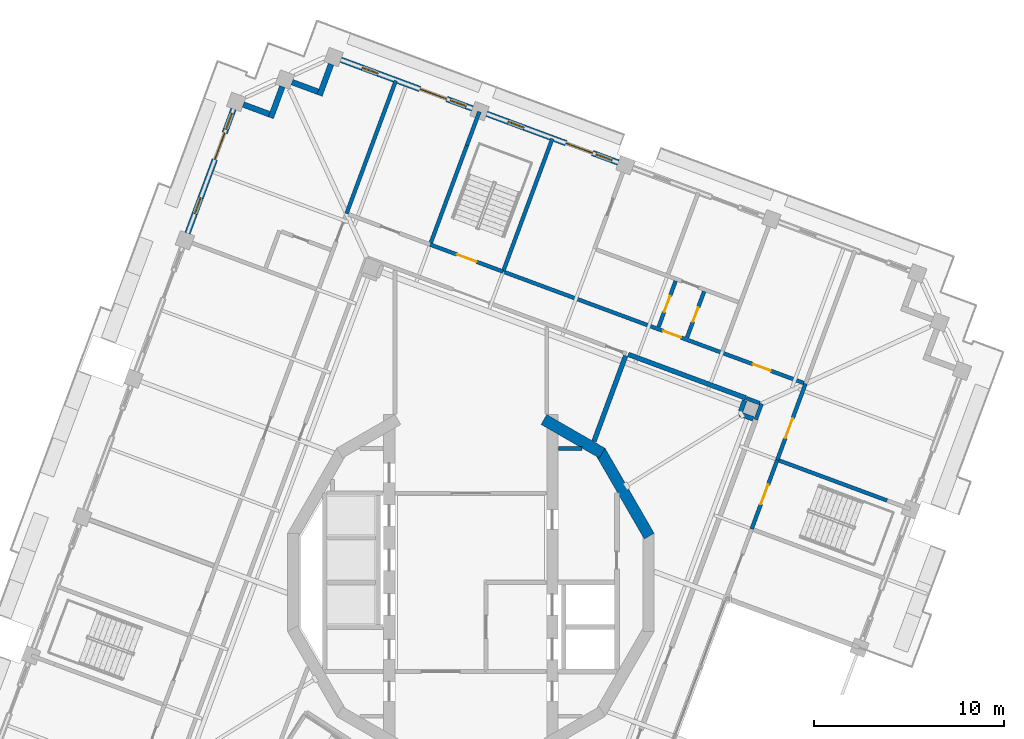
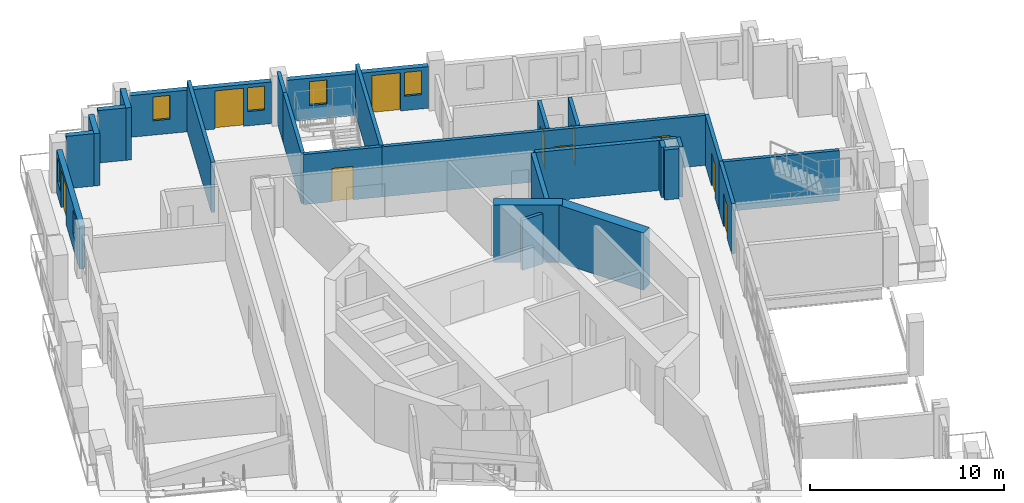
# One storey, part 9 of 19: 27 walls, 10 doors, 6 windows, 16 openings.
"""IFC4 building model written with IfcOpenShell, lengths in metres."""

from ifc_helpers import new_model, si_unit, direction, frame, frame_2d, origin, place, context, subcontext, project, spatial, rectangle, extrude, material, layer, layer_set, type_object, element, fill, save


model = new_model("IFC4")

# Units and contexts
model_context = context("Model", 3, precision=1e-05, world=origin(), true_north=direction((0.0, 1.0)))
body_context = subcontext(model_context, "Body", "Model", "MODEL_VIEW")
ifc_project = project(units=[si_unit("LENGTHUNIT", "METRE"), si_unit("AREAUNIT", "SQUARE_METRE"), si_unit("VOLUMEUNIT", "CUBIC_METRE"), si_unit("PLANEANGLEUNIT", "RADIAN"), si_unit("MASSUNIT", "GRAM", prefix="KILO")], contexts=[model_context])

# Site, building, storey
site_placement = place(None, origin())
site = spatial("IfcSite", under=ifc_project, at=site_placement, CompositionType="ELEMENT")
building_placement = place(site_placement, origin())
building = spatial("IfcBuilding", under=site, at=building_placement, Name="Cantera Rosa Tower", CompositionType="ELEMENT")
storey_placement = place(building_placement, frame((0.0, 0.0, 342.10009765625)))
storey = spatial("IfcBuildingStorey", under=building, at=storey_placement, Name="L77", CompositionType="ELEMENT", Elevation=342.10009765625)

# Walls
ifc_material_1 = material(Name="Gypsum board partition")
ifc_layer_1 = layer(ifc_material_1, 0.199951171875)
ifc_layer_set_1 = layer_set([ifc_layer_1], Name="CORRIDOR WALL 200 H3150")
wall_type_1 = type_object("IfcWallType", Name="CORRIDOR WALL 200 H3150", PredefinedType="PARTITIONING", material=ifc_layer_set_1)
wall_1_placement = place(storey_placement, frame((15.019287109375, 8.586181640625, 0.0), z_axis=(0.0, 0.0, 1.0), x_axis=(0.347684862487, 0.937611452787, 0.0)))
element("IfcWall", 1, at=wall_1_placement, inside=storey, type_object=wall_type_1, Name="CORRIDOR WALL L77-092", PredefinedType="PARTITIONING", context=body_context, shape_type="SweptSolid", body=[
    extrude(rectangle(XDim=0.8798828125, YDim=0.199951171875, at=frame_2d((0.43994140625, 0.0))), origin(), (0.0, 0.0, 1.0), 3.14990234375),
])
wall_2_placement = place(storey_placement, frame((15.2314453125, 9.446044921875, 0.0), z_axis=(0.0, 0.0, 1.0), x_axis=(-0.93771100034, 0.347416291848, 0.0)))
element("IfcWall", 2, at=wall_2_placement, inside=storey, type_object=wall_type_1, Name="CORRIDOR WALL L77-093", PredefinedType="PARTITIONING", context=body_context, shape_type="SweptSolid", body=[
    extrude(rectangle(XDim=0.780029296875, YDim=0.199951171875, at=frame_2d((0.39013671875, 0.0))), origin(), (0.0, 0.0, 1.0), 3.14990234375),
])

# Wall, opening, door
wall_3_placement = place(storey_placement, frame((16.1513671875, 6.460205078125, 0.0), z_axis=(0.0, 0.0, 1.0), x_axis=(0.347438825371, 0.937702651497, 0.0)))
wall_3 = element("IfcWall", 3, at=wall_3_placement, inside=storey, type_object=wall_type_1, Name="CORRIDOR WALL L77-095", PredefinedType="PARTITIONING", context=body_context, shape_type="SweptSolid", body=[
    extrude(rectangle(XDim=4.280029296875, YDim=0.199951171875, at=frame_2d((2.14013671875, 0.0))), origin(), (0.0, 0.0, 1.0), 3.14990234375),
])
opening_1_placement = place(wall_3_placement, frame((1.22998046875, 0.0, 0.0)))
opening_1 = element("IfcOpeningElement", 4, at=opening_1_placement, cuts=wall_3, Name="Opening L77-038", PredefinedType="OPENING", context=body_context, shape_type="SweptSolid", body=[
    extrude(rectangle(XDim=1.10009765625, YDim=2.10009765625, at=frame_2d((0.550048828125, 1.050048828125))), frame((0.0, 0.10986328125, 0.0), z_axis=(0.0, -1.0, 0.0), x_axis=(1.0, 0.0, 0.0)), (0.0, 0.0, 1.0), 0.219970703125),
])
ifc_material_2 = material(Name="Timber door leaf", Category="wood")
door_type_1 = type_object("IfcDoorType", Name="ROOM DOOR 1100x2100", OperationType="NOTDEFINED", PredefinedType="DOOR", material=ifc_material_2)
door_1_placement = place(opening_1_placement, origin())
door_1 = element("IfcDoor", 5, at=door_1_placement, inside=storey, type_object=door_type_1, Name="DOOR L77-038", OperationType="NOTDEFINED", OverallHeight=2.10009765625, OverallWidth=1.10009765625, PredefinedType="DOOR", context=body_context, shape_type="SweptSolid", body=[
    extrude(rectangle(XDim=1.10009765625, YDim=2.10009765625, at=frame_2d((0.550048828125, 1.050048828125))), frame((0.0, 0.02490234375, 0.0), z_axis=(0.0, -1.0, 0.0), x_axis=(1.0, 0.0, 0.0)), (0.0, 0.0, 1.0), 0.050048828125),
])
fill(opening_1, door_1)

# Wall, openings, doors
wall_4_placement = place(storey_placement, frame((17.544677734375, 10.50830078125, 0.0), z_axis=(0.0, 0.0, 1.0), x_axis=(-0.937684617113, 0.347487494493, 0.0)))
wall_4 = element("IfcWall", 6, at=wall_4_placement, inside=storey, type_object=wall_type_1, Name="CORRIDOR WALL L77-096", PredefinedType="PARTITIONING", context=body_context, shape_type="SweptSolid", body=[
    extrude(rectangle(XDim=16.900146484375, YDim=0.199951171875, at=frame_2d((8.4501953125, 0.0))), origin(), (0.0, 0.0, 1.0), 3.14990234375),
])
opening_2_placement = place(wall_4_placement, frame((1.85009765625, 0.0, 0.0)))
opening_2 = element("IfcOpeningElement", 7, at=opening_2_placement, cuts=wall_4, Name="Opening L77-019", PredefinedType="OPENING", context=body_context, shape_type="SweptSolid", body=[
    extrude(rectangle(XDim=1.0, YDim=2.10009765625, at=frame_2d((0.5, 1.050048828125))), frame((0.0, 0.10986328125, 0.0), z_axis=(0.0, -1.0, 0.0), x_axis=(1.0, 0.0, 0.0)), (0.0, 0.0, 1.0), 0.219970703125),
])
opening_3_placement = place(wall_4_placement, frame((6.89990234375, 0.0, 0.0)))
opening_3 = element("IfcOpeningElement", 8, at=opening_3_placement, cuts=wall_4, Name="Opening L77-020", PredefinedType="OPENING", context=body_context, shape_type="SweptSolid", body=[
    extrude(rectangle(XDim=1.0, YDim=2.10009765625, at=frame_2d((0.5, 1.050048828125))), frame((0.0, 0.10986328125, 0.0), z_axis=(0.0, -1.0, 0.0), x_axis=(1.0, 0.0, 0.0)), (0.0, 0.0, 1.0), 0.219970703125),
])
ifc_material_3 = material(Name="Timber door leaf", Category="wood")
door_type_2 = type_object("IfcDoorType", Name="ENTRANCE DOOR 1000x2100", OperationType="NOTDEFINED", PredefinedType="DOOR", material=ifc_material_3)
door_2_placement = place(opening_3_placement, origin())
door_2 = element("IfcDoor", 9, at=door_2_placement, inside=storey, type_object=door_type_2, Name="DOOR L77-020", OperationType="NOTDEFINED", OverallHeight=2.10009765625, OverallWidth=1.0, PredefinedType="DOOR", context=body_context, shape_type="SweptSolid", body=[
    extrude(rectangle(XDim=1.0, YDim=2.10009765625, at=frame_2d((0.5, 1.050048828125))), frame((0.0, 0.02490234375, 0.0), z_axis=(0.0, -1.0, 0.0), x_axis=(1.0, 0.0, 0.0)), (0.0, 0.0, 1.0), 0.050048828125),
])
fill(opening_3, door_2)
ifc_material_4 = material(Name="Timber door leaf", Category="wood")
door_type_3 = type_object("IfcDoorType", Name="ROOM DOOR 1000x2100", OperationType="NOTDEFINED", PredefinedType="DOOR", material=ifc_material_4)
door_3_placement = place(opening_2_placement, origin())
door_3 = element("IfcDoor", 10, at=door_3_placement, inside=storey, type_object=door_type_3, Name="DOOR L77-019", OperationType="NOTDEFINED", OverallHeight=2.10009765625, OverallWidth=1.0, PredefinedType="DOOR", context=body_context, shape_type="SweptSolid", body=[
    extrude(rectangle(XDim=1.0, YDim=2.10009765625, at=frame_2d((0.5, 1.050048828125))), frame((0.0, 0.02490234375, 0.0), z_axis=(0.0, -1.0, 0.0), x_axis=(1.0, 0.0, 0.0)), (0.0, 0.0, 1.0), 0.050048828125),
])
fill(opening_2, door_3)

# Walls
ifc_material_5 = material(Name="Hollow clay masonry with cantera stone cladding", Category="masonry")
ifc_layer_2 = layer(ifc_material_5, 0.300048828125)
ifc_layer_set_2 = layer_set([ifc_layer_2], Name="EW-LOGGIA 300")
wall_type_2 = type_object("IfcWallType", Name="EW-LOGGIA 300", PredefinedType="SOLIDWALL", material=ifc_layer_set_2)
wall_5_placement = place(storey_placement, frame((-7.36865234375, 27.312255859375, 0.0), z_axis=(0.0, 0.0, 1.0), x_axis=(-0.34752790836, -0.937669639538, 0.0)))
element("IfcWall", 11, at=wall_5_placement, inside=storey, type_object=wall_type_2, Name="EN-L77-W05a", PredefinedType="SOLIDWALL", context=body_context, shape_type="SweptSolid", body=[
    extrude(rectangle(XDim=1.75, YDim=0.300048828125, at=frame_2d((0.875, 0.0))), origin(), (0.0, 0.0, 1.0), 3.2998046875),
])
wall_6_placement = place(storey_placement, frame((-8.065185546875, 25.8642578125, 0.0), z_axis=(0.0, 0.0, 1.0), x_axis=(-0.937671557958, 0.347522732201, 0.0)))
element("IfcWall", 12, at=wall_6_placement, inside=storey, type_object=wall_type_2, Name="EN-L77-W05b", PredefinedType="SOLIDWALL", context=body_context, shape_type="SweptSolid", body=[
    extrude(rectangle(XDim=1.449951171875, YDim=0.300048828125, at=frame_2d((0.72509765625, 0.0))), origin(), (0.0, 0.0, 1.0), 3.2998046875),
])
wall_7_placement = place(storey_placement, frame((-9.93896484375, 26.132080078125, 0.0), z_axis=(0.0, 0.0, 1.0), x_axis=(-0.34748245117, -0.937686486054, 0.0)))
element("IfcWall", 13, at=wall_7_placement, inside=storey, type_object=wall_type_2, Name="EN-L77-W06a", PredefinedType="SOLIDWALL", context=body_context, shape_type="SweptSolid", body=[
    extrude(rectangle(XDim=1.750244140625, YDim=0.300048828125, at=frame_2d((0.875, 0.0))), origin(), (0.0, 0.0, 1.0), 3.2998046875),
])
wall_8_placement = place(storey_placement, frame((-10.635498046875, 24.683837890625, 0.0), z_axis=(0.0, 0.0, 1.0), x_axis=(-0.937671557958, 0.347522732201, 0.0)))
element("IfcWall", 14, at=wall_8_placement, inside=storey, type_object=wall_type_2, Name="EN-L77-W06b", PredefinedType="SOLIDWALL", context=body_context, shape_type="SweptSolid", body=[
    extrude(rectangle(XDim=1.449951171875, YDim=0.300048828125, at=frame_2d((0.72509765625, 0.0))), origin(), (0.0, 0.0, 1.0), 3.2998046875),
])

# Wall, openings, windows, door
ifc_material_6 = material(Name="Hollow clay masonry with cantera stone cladding", Category="masonry")
ifc_layer_3 = layer(ifc_material_6, 0.300048828125)
ifc_layer_set_3 = layer_set([ifc_layer_3], Name="EW-LOGGIA 300 H2620")
wall_type_3 = type_object("IfcWallType", Name="EW-LOGGIA 300 H2620", PredefinedType="SOLIDWALL", material=ifc_layer_set_3)
wall_9_placement = place(storey_placement, frame((7.7734375, 22.127685546875, 0.0), z_axis=(0.0, 0.0, 1.0), x_axis=(-0.937680690562, 0.34749808999, 0.0)))
wall_9 = element("IfcWall", 15, at=wall_9_placement, inside=storey, type_object=wall_type_3, Name="EN-L77-W03", PredefinedType="SOLIDWALL", context=body_context, shape_type="SweptSolid", body=[
    extrude(rectangle(XDim=7.400146484375, YDim=0.300048828125, at=frame_2d((3.7001953125, 0.0))), origin(), (0.0, 0.0, 1.0), 2.619873046875),
])
opening_4_placement = place(wall_9_placement, frame((0.35009765625, 0.0, 0.89990234375)))
opening_4 = element("IfcOpeningElement", 16, at=opening_4_placement, cuts=wall_9, Name="Opening L77-W07", PredefinedType="OPENING", context=body_context, shape_type="SweptSolid", body=[
    extrude(rectangle(XDim=0.89990234375, YDim=1.5, at=frame_2d((0.449951171875, 0.75))), frame((0.0, 0.159912109375, 0.0), z_axis=(0.0, -1.0, 0.0), x_axis=(1.0, 0.0, 0.0)), (0.0, 0.0, 1.0), 0.320068359375),
])
opening_5_placement = place(wall_9_placement, frame((1.449951171875, 0.0, 0.0)))
opening_5 = element("IfcOpeningElement", 17, at=opening_5_placement, cuts=wall_9, Name="Opening L77-TD08", PredefinedType="OPENING", context=body_context, shape_type="SweptSolid", body=[
    extrude(rectangle(XDim=1.5, YDim=2.39990234375, at=frame_2d((0.75, 1.199951171875))), frame((0.0, 0.159912109375, 0.0), z_axis=(0.0, -1.0, 0.0), x_axis=(1.0, 0.0, 0.0)), (0.0, 0.0, 1.0), 0.320068359375),
])
opening_6_placement = place(wall_9_placement, frame((5.300048828125, 0.0, 0.89990234375)))
opening_6 = element("IfcOpeningElement", 18, at=opening_6_placement, cuts=wall_9, Name="Opening L77-W09", PredefinedType="OPENING", context=body_context, shape_type="SweptSolid", body=[
    extrude(rectangle(XDim=0.89990234375, YDim=1.5, at=frame_2d((0.449951171875, 0.75))), frame((0.0, 0.159912109375, 0.0), z_axis=(0.0, -1.0, 0.0), x_axis=(1.0, 0.0, 0.0)), (0.0, 0.0, 1.0), 0.320068359375),
])
ifc_material_7 = material(Name="Aluminium frame with clear glass", Category="aluminium")
window_type = type_object("IfcWindowType", Name="Residential window 900x1500", PartitioningType="SINGLE_PANEL", PredefinedType="WINDOW", material=ifc_material_7)
window_1_placement = place(opening_4_placement, origin())
window_1 = element("IfcWindow", 19, at=window_1_placement, inside=storey, type_object=window_type, Name="WINDOW L77-W07", OverallHeight=1.5, OverallWidth=0.89990234375, PartitioningType="SINGLE_PANEL", PredefinedType="WINDOW", context=body_context, shape_type="SweptSolid", body=[
    extrude(rectangle(XDim=0.89990234375, YDim=1.5, at=frame_2d((0.449951171875, 0.75))), frame((0.0, 0.030029296875, 0.0), z_axis=(0.0, -1.0, 0.0), x_axis=(1.0, 0.0, 0.0)), (0.0, 0.0, 1.0), 0.06005859375),
])
fill(opening_4, window_1)
window_2_placement = place(opening_6_placement, origin())
window_2 = element("IfcWindow", 20, at=window_2_placement, inside=storey, type_object=window_type, Name="WINDOW L77-W09", OverallHeight=1.5, OverallWidth=0.89990234375, PartitioningType="SINGLE_PANEL", PredefinedType="WINDOW", context=body_context, shape_type="SweptSolid", body=[
    extrude(rectangle(XDim=0.89990234375, YDim=1.5, at=frame_2d((0.449951171875, 0.75))), frame((0.0, 0.030029296875, 0.0), z_axis=(0.0, -1.0, 0.0), x_axis=(1.0, 0.0, 0.0)), (0.0, 0.0, 1.0), 0.06005859375),
])
fill(opening_6, window_2)
ifc_material_8 = material(Name="Aluminium frame with clear glass", Category="aluminium")
door_type_4 = type_object("IfcDoorType", Name="TD-R 1500x2400", OperationType="NOTDEFINED", PredefinedType="DOOR", material=ifc_material_8)
door_4_placement = place(opening_5_placement, origin())
door_4 = element("IfcDoor", 21, at=door_4_placement, inside=storey, type_object=door_type_4, Name="LOGGIA DOOR L77-TD08", OperationType="SLIDING_TO_LEFT", OverallHeight=2.39990234375, OverallWidth=1.5, PredefinedType="DOOR", context=body_context, shape_type="SweptSolid", body=[
    extrude(rectangle(XDim=1.5, YDim=2.39990234375, at=frame_2d((0.75, 1.199951171875))), frame((0.0, 0.02490234375, 0.0), z_axis=(0.0, -1.0, 0.0), x_axis=(1.0, 0.0, 0.0)), (0.0, 0.0, 1.0), 0.050048828125),
])
fill(opening_5, door_4)

wall_10_placement = place(storey_placement, frame((0.084228515625, 24.97705078125, 0.0), z_axis=(0.0, 0.0, 1.0), x_axis=(-0.937687456783, 0.347479831633, 0.0)))
wall_10 = element("IfcWall", 22, at=wall_10_placement, inside=storey, type_object=wall_type_3, Name="EN-L77-W04", PredefinedType="SOLIDWALL", context=body_context, shape_type="SweptSolid", body=[
    extrude(rectangle(XDim=7.39990234375, YDim=0.300048828125, at=frame_2d((3.699951171875, 0.0))), origin(), (0.0, 0.0, 1.0), 2.619873046875),
])
opening_7_placement = place(wall_10_placement, frame((0.35009765625, 0.0, 0.89990234375)))
opening_7 = element("IfcOpeningElement", 23, at=opening_7_placement, cuts=wall_10, Name="Opening L77-W10", PredefinedType="OPENING", context=body_context, shape_type="SweptSolid", body=[
    extrude(rectangle(XDim=0.89990234375, YDim=1.5, at=frame_2d((0.449951171875, 0.75))), frame((0.0, 0.159912109375, 0.0), z_axis=(0.0, -1.0, 0.0), x_axis=(1.0, 0.0, 0.0)), (0.0, 0.0, 1.0), 0.320068359375),
])
opening_8_placement = place(wall_10_placement, frame((1.449951171875, 0.0, 0.0)))
opening_8 = element("IfcOpeningElement", 24, at=opening_8_placement, cuts=wall_10, Name="Opening L77-TD11", PredefinedType="OPENING", context=body_context, shape_type="SweptSolid", body=[
    extrude(rectangle(XDim=1.5, YDim=2.39990234375, at=frame_2d((0.75, 1.199951171875))), frame((0.0, 0.159912109375, 0.0), z_axis=(0.0, -1.0, 0.0), x_axis=(1.0, 0.0, 0.0)), (0.0, 0.0, 1.0), 0.320068359375),
])
opening_9_placement = place(wall_10_placement, frame((5.300048828125, 0.0, 0.89990234375)))
opening_9 = element("IfcOpeningElement", 25, at=opening_9_placement, cuts=wall_10, Name="Opening L77-W12", PredefinedType="OPENING", context=body_context, shape_type="SweptSolid", body=[
    extrude(rectangle(XDim=0.89990234375, YDim=1.5, at=frame_2d((0.449951171875, 0.75))), frame((0.0, 0.159912109375, 0.0), z_axis=(0.0, -1.0, 0.0), x_axis=(1.0, 0.0, 0.0)), (0.0, 0.0, 1.0), 0.320068359375),
])
window_3_placement = place(opening_7_placement, origin())
window_3 = element("IfcWindow", 26, at=window_3_placement, inside=storey, type_object=window_type, Name="WINDOW L77-W10", OverallHeight=1.5, OverallWidth=0.89990234375, PartitioningType="SINGLE_PANEL", PredefinedType="WINDOW", context=body_context, shape_type="SweptSolid", body=[
    extrude(rectangle(XDim=0.89990234375, YDim=1.5, at=frame_2d((0.449951171875, 0.75))), frame((0.0, 0.030029296875, 0.0), z_axis=(0.0, -1.0, 0.0), x_axis=(1.0, 0.0, 0.0)), (0.0, 0.0, 1.0), 0.06005859375),
])
fill(opening_7, window_3)
window_4_placement = place(opening_9_placement, origin())
window_4 = element("IfcWindow", 27, at=window_4_placement, inside=storey, type_object=window_type, Name="WINDOW L77-W12", OverallHeight=1.5, OverallWidth=0.89990234375, PartitioningType="SINGLE_PANEL", PredefinedType="WINDOW", context=body_context, shape_type="SweptSolid", body=[
    extrude(rectangle(XDim=0.89990234375, YDim=1.5, at=frame_2d((0.449951171875, 0.75))), frame((0.0, 0.030029296875, 0.0), z_axis=(0.0, -1.0, 0.0), x_axis=(1.0, 0.0, 0.0)), (0.0, 0.0, 1.0), 0.06005859375),
])
fill(opening_9, window_4)
door_5_placement = place(opening_8_placement, origin())
door_5 = element("IfcDoor", 28, at=door_5_placement, inside=storey, type_object=door_type_4, Name="LOGGIA DOOR L77-TD11", OperationType="SLIDING_TO_LEFT", OverallHeight=2.39990234375, OverallWidth=1.5, PredefinedType="DOOR", context=body_context, shape_type="SweptSolid", body=[
    extrude(rectangle(XDim=1.5, YDim=2.39990234375, at=frame_2d((0.75, 1.199951171875))), frame((0.0, 0.02490234375, 0.0), z_axis=(0.0, -1.0, 0.0), x_axis=(1.0, 0.0, 0.0)), (0.0, 0.0, 1.0), 0.050048828125),
])
fill(opening_8, door_5)

ifc_material_9 = material(Name="Hollow clay masonry with cantera stone cladding", Category="masonry")
ifc_layer_4 = layer(ifc_material_9, 0.300048828125)
ifc_layer_set_4 = layer_set([ifc_layer_4], Name="EW-LOGGIA 300 H2690")
wall_type_4 = type_object("IfcWallType", Name="EW-LOGGIA 300 H2690", PredefinedType="SOLIDWALL", material=ifc_layer_set_4)
wall_11_placement = place(storey_placement, frame((-12.50927734375, 24.95166015625, 0.0), z_axis=(0.0, 0.0, 1.0), x_axis=(-0.347490919506, -0.937683347864, 0.0)))
wall_11 = element("IfcWall", 29, at=wall_11_placement, inside=storey, type_object=wall_type_4, Name="EN-L77-W07", PredefinedType="SOLIDWALL", context=body_context, shape_type="SweptSolid", body=[
    extrude(rectangle(XDim=6.980224609375, YDim=0.300048828125, at=frame_2d((3.490234375, 0.0))), origin(), (0.0, 0.0, 1.0), 2.68994140625),
])
opening_10_placement = place(wall_11_placement, frame((0.2451171875, 0.0, 0.89990234375)))
opening_10 = element("IfcOpeningElement", 30, at=opening_10_placement, cuts=wall_11, Name="Opening L77-W13", PredefinedType="OPENING", context=body_context, shape_type="SweptSolid", body=[
    extrude(rectangle(XDim=0.89990234375, YDim=1.5, at=frame_2d((0.449951171875, 0.75))), frame((0.0, 0.159912109375, 0.0), z_axis=(0.0, -1.0, 0.0), x_axis=(1.0, 0.0, 0.0)), (0.0, 0.0, 1.0), 0.320068359375),
])
opening_11_placement = place(wall_11_placement, frame((1.344970703125, 0.0, 0.0)))
opening_11 = element("IfcOpeningElement", 31, at=opening_11_placement, cuts=wall_11, Name="Opening L77-TD14", PredefinedType="OPENING", context=body_context, shape_type="SweptSolid", body=[
    extrude(rectangle(XDim=1.5, YDim=2.39990234375, at=frame_2d((0.75, 1.199951171875))), frame((0.0, 0.159912109375, 0.0), z_axis=(0.0, -1.0, 0.0), x_axis=(1.0, 0.0, 0.0)), (0.0, 0.0, 1.0), 0.320068359375),
])
opening_12_placement = place(wall_11_placement, frame((4.985107421875, 0.0, 0.89990234375)))
opening_12 = element("IfcOpeningElement", 32, at=opening_12_placement, cuts=wall_11, Name="Opening L77-W15", PredefinedType="OPENING", context=body_context, shape_type="SweptSolid", body=[
    extrude(rectangle(XDim=0.89990234375, YDim=1.5, at=frame_2d((0.449951171875, 0.75))), frame((0.0, 0.159912109375, 0.0), z_axis=(0.0, -1.0, 0.0), x_axis=(1.0, 0.0, 0.0)), (0.0, 0.0, 1.0), 0.320068359375),
])
window_5_placement = place(opening_10_placement, origin())
window_5 = element("IfcWindow", 33, at=window_5_placement, inside=storey, type_object=window_type, Name="WINDOW L77-W13", OverallHeight=1.5, OverallWidth=0.89990234375, PartitioningType="SINGLE_PANEL", PredefinedType="WINDOW", context=body_context, shape_type="SweptSolid", body=[
    extrude(rectangle(XDim=0.89990234375, YDim=1.5, at=frame_2d((0.449951171875, 0.75))), frame((0.0, 0.030029296875, 0.0), z_axis=(0.0, -1.0, 0.0), x_axis=(1.0, 0.0, 0.0)), (0.0, 0.0, 1.0), 0.06005859375),
])
fill(opening_10, window_5)
window_6_placement = place(opening_12_placement, origin())
window_6 = element("IfcWindow", 34, at=window_6_placement, inside=storey, type_object=window_type, Name="WINDOW L77-W15", OverallHeight=1.5, OverallWidth=0.89990234375, PartitioningType="SINGLE_PANEL", PredefinedType="WINDOW", context=body_context, shape_type="SweptSolid", body=[
    extrude(rectangle(XDim=0.89990234375, YDim=1.5, at=frame_2d((0.449951171875, 0.75))), frame((0.0, 0.030029296875, 0.0), z_axis=(0.0, -1.0, 0.0), x_axis=(1.0, 0.0, 0.0)), (0.0, 0.0, 1.0), 0.06005859375),
])
fill(opening_12, window_6)
door_6_placement = place(opening_11_placement, origin())
door_6 = element("IfcDoor", 35, at=door_6_placement, inside=storey, type_object=door_type_4, Name="LOGGIA DOOR L77-TD14", OperationType="SLIDING_TO_LEFT", OverallHeight=2.39990234375, OverallWidth=1.5, PredefinedType="DOOR", context=body_context, shape_type="SweptSolid", body=[
    extrude(rectangle(XDim=1.5, YDim=2.39990234375, at=frame_2d((0.75, 1.199951171875))), frame((0.0, 0.02490234375, 0.0), z_axis=(0.0, -1.0, 0.0), x_axis=(1.0, 0.0, 0.0)), (0.0, 0.0, 1.0), 0.050048828125),
])
fill(opening_11, door_6)

# Wall
ifc_material_10 = material(Name="Gypsum board partition")
ifc_layer_5 = layer(ifc_material_10, 0.199951171875)
ifc_layer_set_5 = layer_set([ifc_layer_5], Name="PARTITION 200 H3150")
wall_type_5 = type_object("IfcWallType", Name="PARTITION 200 H3150", PredefinedType="PARTITIONING", material=ifc_layer_set_5)
wall_12_placement = place(storey_placement, frame((4.6298828125, 7.050048828125, 0.0), z_axis=(0.0, 0.0, 1.0), x_axis=(1.0, 0.0, 0.0)))
element("IfcWall", 36, at=wall_12_placement, inside=storey, type_object=wall_type_5, Name="PARTITION L77-061", PredefinedType="PARTITIONING", context=body_context, shape_type="SweptSolid", body=[
    extrude(rectangle(XDim=1.2177734375, YDim=0.199951171875, at=frame_2d((0.60888671875, 0.0))), origin(), (0.0, 0.0, 1.0), 3.14990234375),
])

# Wall, opening, door
wall_13_placement = place(storey_placement, frame((9.8974609375, 13.47021484375, 0.0), z_axis=(0.0, 0.0, 1.0), x_axis=(0.34748078016, 0.937687105286, 0.0)))
wall_13 = element("IfcWall", 37, at=wall_13_placement, inside=storey, type_object=wall_type_5, Name="PARTITION L77-081", PredefinedType="PARTITIONING", context=body_context, shape_type="SweptSolid", body=[
    extrude(rectangle(XDim=2.579833984375, YDim=0.199951171875, at=frame_2d((1.2900390625, 0.0))), origin(), (0.0, 0.0, 1.0), 3.14990234375),
])
opening_13_placement = place(wall_13_placement, frame((0.830078125, 0.0, 0.0)))
opening_13 = element("IfcOpeningElement", 38, at=opening_13_placement, cuts=wall_13, Name="Opening L77-022", PredefinedType="OPENING", context=body_context, shape_type="SweptSolid", body=[
    extrude(rectangle(XDim=0.89990234375, YDim=2.10009765625, at=frame_2d((0.449951171875, 1.050048828125))), frame((0.0, 0.10986328125, 0.0), z_axis=(0.0, -1.0, 0.0), x_axis=(1.0, 0.0, 0.0)), (0.0, 0.0, 1.0), 0.219970703125),
])
ifc_material_11 = material(Name="Timber door leaf", Category="wood")
door_type_5 = type_object("IfcDoorType", Name="ROOM DOOR 900x2100", OperationType="NOTDEFINED", PredefinedType="DOOR", material=ifc_material_11)
door_7_placement = place(opening_13_placement, origin())
door_7 = element("IfcDoor", 39, at=door_7_placement, inside=storey, type_object=door_type_5, Name="DOOR L77-022", OperationType="NOTDEFINED", OverallHeight=2.10009765625, OverallWidth=0.89990234375, PredefinedType="DOOR", context=body_context, shape_type="SweptSolid", body=[
    extrude(rectangle(XDim=0.89990234375, YDim=2.10009765625, at=frame_2d((0.449951171875, 1.050048828125))), frame((0.0, 0.02490234375, 0.0), z_axis=(0.0, -1.0, 0.0), x_axis=(1.0, 0.0, 0.0)), (0.0, 0.0, 1.0), 0.050048828125),
])
fill(opening_13, door_7)

wall_14_placement = place(storey_placement, frame((11.397705078125, 12.914306640625, 0.0), z_axis=(0.0, 0.0, 1.0), x_axis=(0.34748078016, 0.937687105286, 0.0)))
wall_14 = element("IfcWall", 40, at=wall_14_placement, inside=storey, type_object=wall_type_5, Name="PARTITION L77-085", PredefinedType="PARTITIONING", context=body_context, shape_type="SweptSolid", body=[
    extrude(rectangle(XDim=2.579833984375, YDim=0.199951171875, at=frame_2d((1.2900390625, 0.0))), origin(), (0.0, 0.0, 1.0), 3.14990234375),
])
opening_14_placement = place(wall_14_placement, frame((0.8798828125, 0.0, 0.0)))
opening_14 = element("IfcOpeningElement", 41, at=opening_14_placement, cuts=wall_14, Name="Opening L77-021", PredefinedType="OPENING", context=body_context, shape_type="SweptSolid", body=[
    extrude(rectangle(XDim=0.800048828125, YDim=2.10009765625, at=frame_2d((0.39990234375, 1.050048828125))), frame((0.0, 0.10986328125, 0.0), z_axis=(0.0, -1.0, 0.0), x_axis=(1.0, 0.0, 0.0)), (0.0, 0.0, 1.0), 0.219970703125),
])
ifc_material_12 = material(Name="Timber door leaf", Category="wood")
door_type_6 = type_object("IfcDoorType", Name="BATHROOM DOOR 800x2100", OperationType="NOTDEFINED", PredefinedType="DOOR", material=ifc_material_12)
door_8_placement = place(opening_14_placement, origin())
door_8 = element("IfcDoor", 42, at=door_8_placement, inside=storey, type_object=door_type_6, Name="DOOR L77-021", OperationType="NOTDEFINED", OverallHeight=2.10009765625, OverallWidth=0.800048828125, PredefinedType="DOOR", context=body_context, shape_type="SweptSolid", body=[
    extrude(rectangle(XDim=0.800048828125, YDim=2.10009765625, at=frame_2d((0.39990234375, 1.050048828125))), frame((0.0, 0.02490234375, 0.0), z_axis=(0.0, -1.0, 0.0), x_axis=(1.0, 0.0, 0.0)), (0.0, 0.0, 1.0), 0.050048828125),
])
fill(opening_14, door_8)

# Walls
ifc_material_13 = material(Name="Gypsum board partition")
ifc_layer_6 = layer(ifc_material_13, 0.199951171875)
ifc_layer_set_6 = layer_set([ifc_layer_6], Name="PARTY WALL 200 H3150")
wall_type_6 = type_object("IfcWallType", Name="PARTY WALL 200 H3150", PredefinedType="PARTITIONING", material=ifc_layer_set_6)
wall_15_placement = place(storey_placement, frame((-6.5537109375, 19.438720703125, 0.0), z_axis=(0.0, 0.0, 1.0), x_axis=(0.347460186276, 0.93769473655, 0.0)))
element("IfcWall", 43, at=wall_15_placement, inside=storey, type_object=wall_type_6, Name="PARTY WALL L77-032", PredefinedType="PARTITIONING", context=body_context, shape_type="SweptSolid", body=[
    extrude(rectangle(XDim=7.4697265625, YDim=0.199951171875, at=frame_2d((3.73486328125, 0.0))), origin(), (0.0, 0.0, 1.0), 3.14990234375),
])
ifc_material_14 = material(Name="Concrete C50/60", Category="concrete")
ifc_layer_7 = layer(ifc_material_14, 0.60009765625)
ifc_layer_set_7 = layer_set([ifc_layer_7], Name="RC CORE WALL 600 C50/60")
wall_type_7 = type_object("IfcWallType", Name="RC CORE WALL 600 C50/60", PredefinedType="SHEAR", material=ifc_layer_set_7)
wall_16_placement = place(storey_placement, frame((3.85009765625, 8.584228515625, 0.0), z_axis=(0.0, 0.0, 1.0), x_axis=(0.866039982607, -0.499974747889, 0.0)))
element("IfcWall", 44, at=wall_16_placement, inside=storey, type_object=wall_type_7, Name="CW-E1 L77", PredefinedType="SHEAR", context=body_context, shape_type="SweptSolid", body=[
    extrude(rectangle(XDim=3.546142578125, YDim=0.60009765625, at=frame_2d((1.77294921875, 0.0))), origin(), (0.0, 0.0, 1.0), 3.599853515625),
])
wall_17_placement = place(storey_placement, frame((6.811279296875, 6.921142578125, 0.0), z_axis=(0.0, 0.0, 1.0), x_axis=(0.499989188378, -0.866031645787, 0.0)))
element("IfcWall", 45, at=wall_17_placement, inside=storey, type_object=wall_type_7, Name="CW-E2 L77", PredefinedType="SHEAR", context=body_context, shape_type="SweptSolid", body=[
    extrude(rectangle(XDim=5.17626953125, YDim=0.60009765625, at=frame_2d((2.588134765625, 0.0))), origin(), (0.0, 0.0, 1.0), 3.599853515625),
])
ifc_material_15 = material(Name="Masonry blockwork", Category="masonry")
ifc_layer_8 = layer(ifc_material_15, 0.25)
ifc_layer_set_8 = layer_set([ifc_layer_8], Name="SHAFT WALL 250 H3150")
wall_type_8 = type_object("IfcWallType", Name="SHAFT WALL 250 H3150", PredefinedType="SOLIDWALL", material=ifc_layer_set_8)
wall_18_placement = place(storey_placement, frame((6.489990234375, 7.441162109375, 0.0), z_axis=(0.0, 0.0, 1.0), x_axis=(0.347473464899, 0.937689816086, 0.0)))
element("IfcWall", 46, at=wall_18_placement, inside=storey, type_object=wall_type_8, Name="SHAFT WALL L77-069", PredefinedType="SOLIDWALL", context=body_context, shape_type="SweptSolid", body=[
    extrude(rectangle(XDim=4.79736328125, YDim=0.25, at=frame_2d((2.398681640625, 0.0))), origin(), (0.0, 0.0, 1.0), 3.14990234375),
])
wall_19_placement = place(storey_placement, frame((14.16845703125, 8.8798828125, 0.0), z_axis=(0.0, 0.0, 1.0), x_axis=(0.937760386043, -0.347282965849, 0.0)))
element("IfcWall", 47, at=wall_19_placement, inside=storey, type_object=wall_type_8, Name="SHAFT WALL L77-087", PredefinedType="SOLIDWALL", context=body_context, shape_type="SweptSolid", body=[
    extrude(rectangle(XDim=0.760009765625, YDim=0.25, at=frame_2d((0.3798828125, 0.0))), origin(), (0.0, 0.0, 1.0), 3.14990234375),
])
wall_20_placement = place(storey_placement, frame((14.481201171875, 9.72412109375, 0.0), z_axis=(0.0, 0.0, 1.0), x_axis=(-0.937694757134, 0.347460130725, 0.0)))
element("IfcWall", 48, at=wall_20_placement, inside=storey, type_object=wall_type_8, Name="SHAFT WALL L77-089", PredefinedType="SOLIDWALL", context=body_context, shape_type="SweptSolid", body=[
    extrude(rectangle(XDim=6.599853515625, YDim=0.25, at=frame_2d((3.2998046875, 0.0))), origin(), (0.0, 0.0, 1.0), 3.14990234375),
])
wall_21_placement = place(storey_placement, frame((14.4326171875, 9.5927734375, 0.0), z_axis=(0.0, 0.0, 1.0), x_axis=(-0.347237420636, -0.937777251649, 0.0)))
element("IfcWall", 49, at=wall_21_placement, inside=storey, type_object=wall_type_8, Name="SHAFT WALL L77-090", PredefinedType="SOLIDWALL", context=body_context, shape_type="SweptSolid", body=[
    extrude(rectangle(XDim=0.6201171875, YDim=0.25, at=frame_2d((0.31005859375, 0.0))), origin(), (0.0, 0.0, 1.0), 3.14990234375),
])

# Wall, opening, door
ifc_material_16 = material(Name="Concrete C50/60", Category="concrete")
ifc_layer_9 = layer(ifc_material_16, 0.199951171875)
ifc_layer_set_9 = layer_set([ifc_layer_9], Name="STAIR WALL 200 H3150")
wall_type_9 = type_object("IfcWallType", Name="STAIR WALL 200 H3150", PredefinedType="SOLIDWALL", material=ifc_layer_set_9)
wall_22_placement = place(storey_placement, frame((-2.146728515625, 17.805419921875, 0.0), z_axis=(0.0, 0.0, 1.0), x_axis=(0.937694876531, -0.347459808507, 0.0)))
wall_22 = element("IfcWall", 50, at=wall_22_placement, inside=storey, type_object=wall_type_9, Name="STAIR WALL L77-049", PredefinedType="SOLIDWALL", context=body_context, shape_type="SweptSolid", body=[
    extrude(rectangle(XDim=4.099853515625, YDim=0.199951171875, at=frame_2d((2.0498046875, 0.0))), origin(), (0.0, 0.0, 1.0), 3.14990234375),
])
opening_15_placement = place(wall_22_placement, frame((1.5, 0.0, 0.0)))
opening_15 = element("IfcOpeningElement", 51, at=opening_15_placement, cuts=wall_22, Name="Opening L77-002", PredefinedType="OPENING", context=body_context, shape_type="SweptSolid", body=[
    extrude(rectangle(XDim=1.10009765625, YDim=2.10009765625, at=frame_2d((0.550048828125, 1.050048828125))), frame((0.0, 0.10986328125, 0.0), z_axis=(0.0, -1.0, 0.0), x_axis=(1.0, 0.0, 0.0)), (0.0, 0.0, 1.0), 0.219970703125),
])
ifc_material_17 = material(Name="Steel S355J2 (EN 10025-2)", Category="steel")
door_type_7 = type_object("IfcDoorType", Name="STAIR DOOR 1100x2100", OperationType="NOTDEFINED", PredefinedType="DOOR", material=ifc_material_17)
door_9_placement = place(opening_15_placement, origin())
door_9 = element("IfcDoor", 52, at=door_9_placement, inside=storey, type_object=door_type_7, Name="DOOR L77-002", OperationType="NOTDEFINED", OverallHeight=2.10009765625, OverallWidth=1.10009765625, PredefinedType="DOOR", context=body_context, shape_type="SweptSolid", body=[
    extrude(rectangle(XDim=1.10009765625, YDim=2.10009765625, at=frame_2d((0.550048828125, 1.050048828125))), frame((0.0, 0.02490234375, 0.0), z_axis=(0.0, -1.0, 0.0), x_axis=(1.0, 0.0, 0.0)), (0.0, 0.0, 1.0), 0.050048828125),
])
fill(opening_15, door_9)

# Walls
wall_23_placement = place(storey_placement, frame((0.448974609375, 24.81005859375, 0.0), z_axis=(0.0, 0.0, 1.0), x_axis=(-0.34743152672, -0.937705355771, 0.0)))
element("IfcWall", 53, at=wall_23_placement, inside=storey, type_object=wall_type_9, Name="STAIR WALL L77-050", PredefinedType="SOLIDWALL", context=body_context, shape_type="SweptSolid", body=[
    extrude(rectangle(XDim=1.900146484375, YDim=0.199951171875, at=frame_2d((0.9501953125, 0.0))), origin(), (0.0, 0.0, 1.0), 3.14990234375),
])
wall_24_placement = place(storey_placement, frame((1.69775390625, 16.380859375, 0.0), z_axis=(0.0, 0.0, 1.0), x_axis=(0.347488923611, 0.937684087509, 0.0)))
element("IfcWall", 54, at=wall_24_placement, inside=storey, type_object=wall_type_9, Name="STAIR WALL L77-054", PredefinedType="SOLIDWALL", context=body_context, shape_type="SweptSolid", body=[
    extrude(rectangle(XDim=7.469970703125, YDim=0.199951171875, at=frame_2d((3.73486328125, 0.0))), origin(), (0.0, 0.0, 1.0), 3.14990234375),
])

# Wall, opening, door
wall_25_placement = place(storey_placement, frame((16.1513671875, 6.460205078125, 0.0), z_axis=(0.0, 0.0, 1.0), x_axis=(-0.347516717491, -0.937673787126, 0.0)))
wall_25 = element("IfcWall", 55, at=wall_25_placement, inside=storey, type_object=wall_type_9, Name="STAIR WALL L77-094", PredefinedType="SOLIDWALL", context=body_context, shape_type="SweptSolid", body=[
    extrude(rectangle(XDim=3.889892578125, YDim=0.199951171875, at=frame_2d((1.94482421875, 0.0))), origin(), (0.0, 0.0, 1.0), 3.14990234375),
])
opening_16_placement = place(wall_25_placement, frame((1.39501953125, 0.0, 0.0)))
opening_16 = element("IfcOpeningElement", 56, at=opening_16_placement, cuts=wall_25, Name="Opening L77-001", PredefinedType="OPENING", context=body_context, shape_type="SweptSolid", body=[
    extrude(rectangle(XDim=1.10009765625, YDim=2.10009765625, at=frame_2d((0.550048828125, 1.050048828125))), frame((0.0, 0.10986328125, 0.0), z_axis=(0.0, -1.0, 0.0), x_axis=(1.0, 0.0, 0.0)), (0.0, 0.0, 1.0), 0.219970703125),
])
door_10_placement = place(opening_16_placement, origin())
door_10 = element("IfcDoor", 57, at=door_10_placement, inside=storey, type_object=door_type_7, Name="DOOR L77-001", OperationType="NOTDEFINED", OverallHeight=2.10009765625, OverallWidth=1.10009765625, PredefinedType="DOOR", context=body_context, shape_type="SweptSolid", body=[
    extrude(rectangle(XDim=1.10009765625, YDim=2.10009765625, at=frame_2d((0.550048828125, 1.050048828125))), frame((0.0, 0.02490234375, 0.0), z_axis=(0.0, -1.0, 0.0), x_axis=(1.0, 0.0, 0.0)), (0.0, 0.0, 1.0), 0.050048828125),
])
fill(opening_16, door_10)

# Walls
wall_26_placement = place(storey_placement, frame((21.936767578125, 4.31640625, 0.0), z_axis=(0.0, 0.0, 1.0), x_axis=(-0.937692901762, 0.347465137797, 0.0)))
element("IfcWall", 58, at=wall_26_placement, inside=storey, type_object=wall_type_9, Name="STAIR WALL L77-099 J", PredefinedType="SOLIDWALL", context=body_context, shape_type="SweptSolid", body=[
    extrude(rectangle(XDim=6.169921875, YDim=0.199951171875, at=frame_2d((3.0849609375, 0.0))), origin(), (0.0, 0.0, 1.0), 3.14990234375),
])
wall_27_placement = place(storey_placement, frame((-0.211181640625, 23.0283203125, 0.0), z_axis=(0.0, 0.0, 1.0), x_axis=(-0.347494221501, -0.937682124189, 0.0)))
element("IfcWall", 59, at=wall_27_placement, inside=storey, type_object=wall_type_9, Name="STAIR WALL L77-050 J", PredefinedType="SOLIDWALL", context=body_context, shape_type="SweptSolid", body=[
    extrude(rectangle(XDim=5.570068359375, YDim=0.199951171875, at=frame_2d((2.78515625, 0.0))), origin(), (0.0, 0.0, 1.0), 3.14990234375),
])

save(model, "model.ifc")
